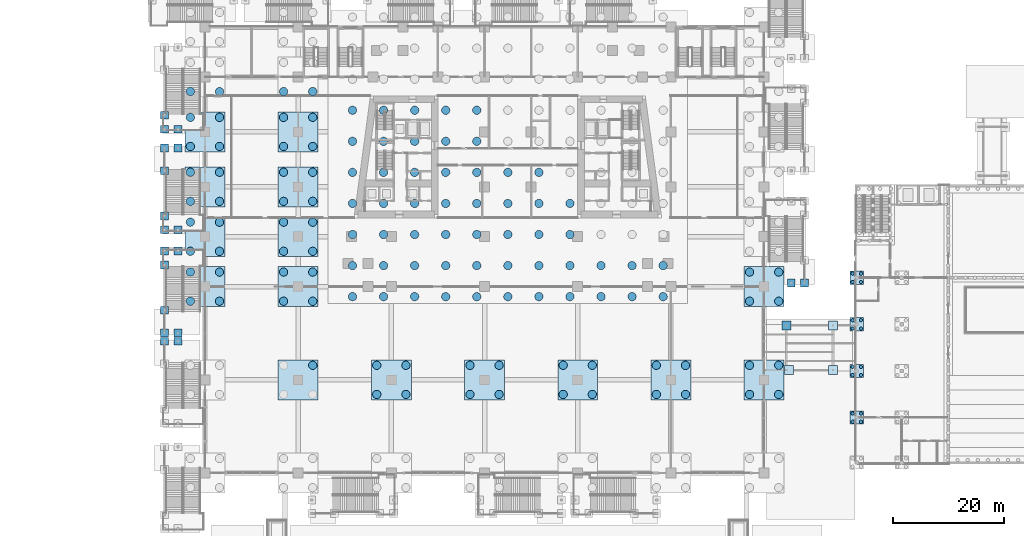
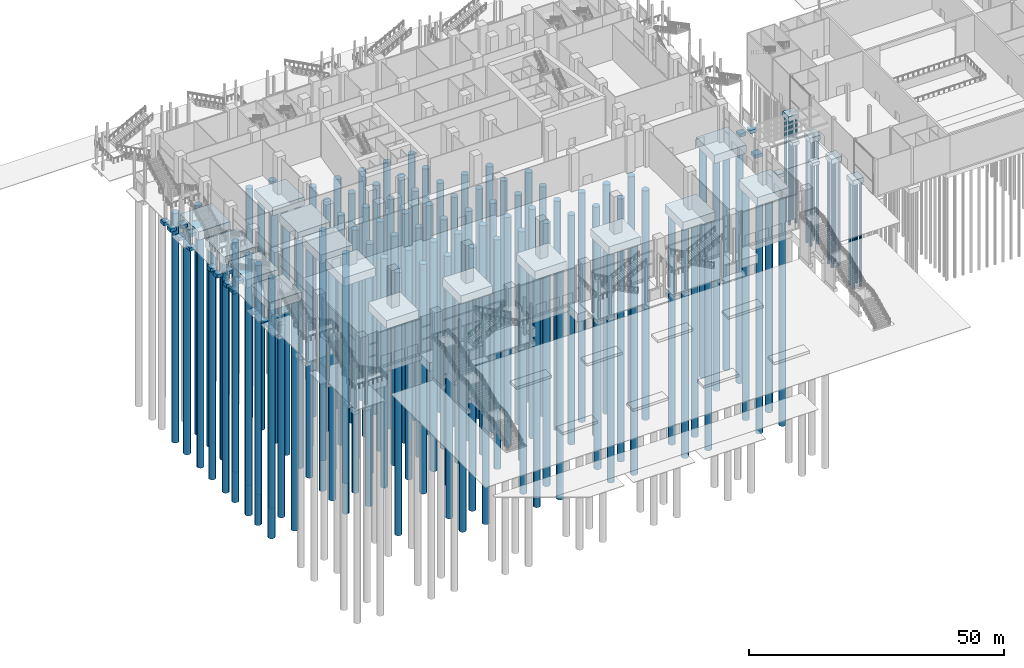
# One storey, part 2 of 72: 132 piles, 42 footings.
"""IFC4 building model written with IfcOpenShell, lengths in metres."""

from ifc_helpers import new_model, si_unit, direction, frame, origin, origin_2d, place, context, subcontext, project, spatial, polyline, rectangle, circle, outline, extrude, material, material_profile, profile_set, type_object, element, save


model = new_model("IFC4")

# Units and contexts
model_context = context("Model", 3, precision=1e-05, world=origin(), true_north=direction((0.0, 1.0)))
body_context = subcontext(model_context, "Body", "Model", "MODEL_VIEW")
ifc_project = project(units=[si_unit("LENGTHUNIT", "METRE"), si_unit("AREAUNIT", "SQUARE_METRE"), si_unit("VOLUMEUNIT", "CUBIC_METRE"), si_unit("PLANEANGLEUNIT", "RADIAN"), si_unit("MASSUNIT", "GRAM", prefix="KILO")], contexts=[model_context])

# Site, building, storey
site_placement = place(None, origin())
site = spatial("IfcSite", under=ifc_project, at=site_placement, CompositionType="ELEMENT")
building_placement = place(site_placement, origin())
building = spatial("IfcBuilding", under=site, at=building_placement, Name="Candeia Pilgrim Tower and Theatre", CompositionType="ELEMENT")
storey_placement = place(building_placement, origin())
storey = spatial("IfcBuildingStorey", under=building, at=storey_placement, Name="L00", CompositionType="ELEMENT", Elevation=0.0)

# Footings
ifc_material_1 = material(Name="Concrete C35/45", Category="concrete")
footing_type_1 = type_object("IfcFootingType", Name="Arcade pad footing 1600", PredefinedType="PAD_FOOTING", material=ifc_material_1)
footing_1_placement = place(storey_placement, frame((0.0, 0.0, -1.0)))
element("IfcFooting", 1, at=footing_1_placement, inside=storey, type_object=footing_type_1, Name="Arcade pad 1", PredefinedType="PAD_FOOTING", context=body_context, shape_type="SweptSolid", body=[
    extrude(outline(polyline([(163.25, 82.199951171875), (164.85009765625, 82.199951171875), (164.85009765625, 83.800048828125), (163.25, 83.800048828125), (163.25, 82.199951171875)])), origin(), (0.0, 0.0, 1.0), 0.800048828125),
])
footing_2_placement = place(storey_placement, frame((0.0, 0.0, -1.0)))
element("IfcFooting", 2, at=footing_2_placement, inside=storey, type_object=footing_type_1, Name="Arcade pad 2", PredefinedType="PAD_FOOTING", context=body_context, shape_type="SweptSolid", body=[
    extrude(outline(polyline([(162.800048828125, 90.199951171875), (164.39990234375, 90.199951171875), (164.39990234375, 91.800048828125), (162.800048828125, 91.800048828125), (162.800048828125, 90.199951171875)])), origin(), (0.0, 0.0, 1.0), 0.800048828125),
])
footing_3_placement = place(storey_placement, frame((0.0, 0.0, -1.0)))
element("IfcFooting", 3, at=footing_3_placement, inside=storey, type_object=footing_type_1, Name="Arcade pad 3", PredefinedType="PAD_FOOTING", context=body_context, shape_type="SweptSolid", body=[
    extrude(outline(polyline([(171.199951171875, 82.199951171875), (172.800048828125, 82.199951171875), (172.800048828125, 83.800048828125), (171.199951171875, 83.800048828125), (171.199951171875, 82.199951171875)])), origin(), (0.0, 0.0, 1.0), 0.800048828125),
])
footing_4_placement = place(storey_placement, frame((0.0, 0.0, -1.0)))
element("IfcFooting", 4, at=footing_4_placement, inside=storey, type_object=footing_type_1, Name="Arcade pad 4", PredefinedType="PAD_FOOTING", context=body_context, shape_type="SweptSolid", body=[
    extrude(outline(polyline([(171.199951171875, 90.199951171875), (172.800048828125, 90.199951171875), (172.800048828125, 91.800048828125), (171.199951171875, 91.800048828125), (171.199951171875, 90.199951171875)])), origin(), (0.0, 0.0, 1.0), 0.800048828125),
])

# Piles
ifc_material_2 = material(Name="Concrete C40/50", Category="concrete")
ifc_material_profile = material_profile(ifc_material_2, circle(Radius=0.75, at=origin_2d()))
ifc_profile_set = profile_set([ifc_material_profile], Name="Concrete C40/50")
pile_type_1 = type_object("IfcPileType", Name="Bored pile D1500 C40/50", PredefinedType="BORED", material=ifc_profile_set)
for number, where, z_axis, x_axis, name in (
    (5, (85.39990234375, 96.199951171875, -4.35009765625), (0.0, 0.0, -1.0), (1.0, 0.0, 0.0), "Pile R001"),
    (6, (91.0, 96.199951171875, -4.35009765625), (0.0, 0.0, -1.0), (1.0, 0.0, 0.0), "Pile R002"),
    (7, (96.60009765625, 96.199951171875, -4.35009765625), (0.0, 0.0, -1.0), (1.0, 0.0, 0.0), "Pile R003"),
    (8, (102.199951171875, 96.199951171875, -4.35009765625), (0.0, 0.0, -1.0), (1.0, 0.0, 0.0), "Pile R004"),
    (9, (107.800048828125, 96.199951171875, -4.35009765625), (0.0, 0.0, -1.0), (1.0, 0.0, 0.0), "Pile R005"),
    (10, (113.39990234375, 96.199951171875, -4.35009765625), (0.0, 0.0, -1.0), (1.0, 0.0, 0.0), "Pile R006"),
    (11, (119.0, 96.199951171875, -4.35009765625), (0.0, 0.0, -1.0), (1.0, 0.0, 0.0), "Pile R007"),
    (12, (124.60009765625, 96.199951171875, -4.35009765625), (0.0, 0.0, -1.0), (1.0, 0.0, 0.0), "Pile R008"),
    (13, (130.199951171875, 96.199951171875, -4.35009765625), (0.0, 0.0, -1.0), (1.0, 0.0, 0.0), "Pile R009"),
    (14, (135.800048828125, 96.199951171875, -4.35009765625), (0.0, 0.0, -1.0), (1.0, 0.0, 0.0), "Pile R010"),
    (15, (141.39990234375, 96.199951171875, -4.35009765625), (0.0, 0.0, -1.0), (1.0, 0.0, 0.0), "Pile R011"),
    (16, (85.39990234375, 101.800048828125, -4.35009765625), (0.0, 0.0, -1.0), (1.0, 0.0, 0.0), "Pile R012"),
    (17, (91.0, 101.800048828125, -4.35009765625), (0.0, 0.0, -1.0), (1.0, 0.0, 0.0), "Pile R013"),
    (18, (96.60009765625, 101.800048828125, -4.35009765625), (0.0, 0.0, -1.0), (1.0, 0.0, 0.0), "Pile R014"),
    (19, (102.199951171875, 101.800048828125, -4.35009765625), (0.0, 0.0, -1.0), (1.0, 0.0, 0.0), "Pile R015"),
    (20, (107.800048828125, 101.800048828125, -4.35009765625), (0.0, 0.0, -1.0), (1.0, 0.0, 0.0), "Pile R016"),
    (21, (113.39990234375, 101.800048828125, -4.35009765625), (0.0, 0.0, -1.0), (1.0, 0.0, 0.0), "Pile R017"),
    (22, (119.0, 101.800048828125, -4.35009765625), (0.0, 0.0, -1.0), (1.0, 0.0, 0.0), "Pile R018"),
    (23, (124.60009765625, 101.800048828125, -4.35009765625), (0.0, 0.0, -1.0), (1.0, 0.0, 0.0), "Pile R019"),
    (24, (130.199951171875, 101.800048828125, -4.35009765625), (0.0, 0.0, -1.0), (1.0, 0.0, 0.0), "Pile R020"),
    (25, (135.800048828125, 101.800048828125, -4.35009765625), (0.0, 0.0, -1.0), (1.0, 0.0, 0.0), "Pile R021"),
    (26, (141.39990234375, 101.800048828125, -4.35009765625), (0.0, 0.0, -1.0), (1.0, 0.0, 0.0), "Pile R022"),
    (27, (85.39990234375, 107.39990234375, -4.35009765625), (0.0, 0.0, -1.0), (1.0, 0.0, 0.0), "Pile R023"),
    (28, (91.0, 107.39990234375, -4.35009765625), (0.0, 0.0, -1.0), (1.0, 0.0, 0.0), "Pile R024"),
    (29, (96.60009765625, 107.39990234375, -4.35009765625), (0.0, 0.0, -1.0), (1.0, 0.0, 0.0), "Pile R025"),
    (30, (102.199951171875, 107.39990234375, -4.35009765625), (0.0, 0.0, -1.0), (1.0, 0.0, 0.0), "Pile R026"),
    (31, (107.800048828125, 107.39990234375, -4.35009765625), (0.0, 0.0, -1.0), (1.0, 0.0, 0.0), "Pile R027"),
    (32, (113.39990234375, 107.39990234375, -4.35009765625), (0.0, 0.0, -1.0), (1.0, 0.0, 0.0), "Pile R028"),
    (33, (119.0, 107.39990234375, -4.35009765625), (0.0, 0.0, -1.0), (1.0, 0.0, 0.0), "Pile R029"),
    (34, (124.60009765625, 107.39990234375, -4.35009765625), (0.0, 0.0, -1.0), (1.0, 0.0, 0.0), "Pile R030"),
    (35, (85.39990234375, 113.0, -4.35009765625), (0.0, 0.0, -1.0), (1.0, 0.0, 0.0), "Pile R034"),
    (36, (91.0, 113.0, -4.35009765625), (0.0, 0.0, -1.0), (1.0, 0.0, 0.0), "Pile R035"),
    (37, (96.60009765625, 113.0, -4.35009765625), (0.0, 0.0, -1.0), (1.0, 0.0, 0.0), "Pile R036"),
    (38, (102.199951171875, 113.0, -4.35009765625), (0.0, 0.0, -1.0), (1.0, 0.0, 0.0), "Pile R037"),
    (39, (107.800048828125, 113.0, -4.35009765625), (0.0, 0.0, -1.0), (1.0, 0.0, 0.0), "Pile R038"),
    (40, (113.39990234375, 113.0, -4.35009765625), (0.0, 0.0, -1.0), (1.0, 0.0, 0.0), "Pile R039"),
    (41, (119.0, 113.0, -4.35009765625), (0.0, 0.0, -1.0), (1.0, 0.0, 0.0), "Pile R040"),
    (42, (124.60009765625, 113.0, -4.35009765625), (0.0, 0.0, -1.0), (1.0, 0.0, 0.0), "Pile R041"),
    (43, (85.39990234375, 118.60009765625, -4.35009765625), (0.0, 0.0, -1.0), (1.0, 0.0, 0.0), "Pile R045"),
    (44, (91.0, 118.60009765625, -4.35009765625), (0.0, 0.0, -1.0), (1.0, 0.0, 0.0), "Pile R046"),
    (45, (96.60009765625, 118.60009765625, -4.35009765625), (0.0, 0.0, -1.0), (1.0, 0.0, 0.0), "Pile R047"),
    (46, (102.199951171875, 118.60009765625, -4.35009765625), (0.0, 0.0, -1.0), (1.0, 0.0, 0.0), "Pile R048"),
    (47, (107.800048828125, 118.60009765625, -4.35009765625), (0.0, 0.0, -1.0), (1.0, 0.0, 0.0), "Pile R049"),
    (48, (113.39990234375, 118.60009765625, -4.35009765625), (0.0, 0.0, -1.0), (1.0, 0.0, 0.0), "Pile R050"),
    (49, (119.0, 118.60009765625, -4.35009765625), (0.0, 0.0, -1.0), (1.0, 0.0, 0.0), "Pile R051"),
    (50, (85.39990234375, 124.199951171875, -4.35009765625), (0.0, 0.0, -1.0), (1.0, 0.0, 0.0), "Pile R056"),
    (51, (91.0, 124.199951171875, -4.35009765625), (0.0, 0.0, -1.0), (1.0, 0.0, 0.0), "Pile R057"),
    (52, (96.60009765625, 124.199951171875, -4.35009765625), (0.0, 0.0, -1.0), (1.0, 0.0, 0.0), "Pile R058"),
    (53, (102.199951171875, 124.199951171875, -4.35009765625), (0.0, 0.0, -1.0), (1.0, 0.0, 0.0), "Pile R059"),
    (54, (107.800048828125, 124.199951171875, -4.35009765625), (0.0, 0.0, -1.0), (1.0, 0.0, 0.0), "Pile R060"),
    (55, (85.39990234375, 129.800048828125, -4.35009765625), (0.0, 0.0, -1.0), (1.0, 0.0, 0.0), "Pile R067"),
    (56, (91.0, 129.800048828125, -4.35009765625), (0.0, 0.0, -1.0), (1.0, 0.0, 0.0), "Pile R068"),
    (57, (96.60009765625, 129.800048828125, -4.35009765625), (0.0, 0.0, -1.0), (1.0, 0.0, 0.0), "Pile R069"),
    (58, (102.199951171875, 129.800048828125, -4.35009765625), (0.0, 0.0, -1.0), (1.0, 0.0, 0.0), "Pile R070"),
    (59, (107.800048828125, 129.800048828125, -4.35009765625), (0.0, 0.0, -1.0), (1.0, 0.0, 0.0), "Pile R071"),
    (60, (78.22509765625, 83.824951171875, -2.35009765625), (0.0, 0.0, -1.0), (1.0, 0.0, 0.0), "Pile P-0084-0168-4"),
    (61, (89.77490234375, 78.574951171875, -2.35009765625), (0.0, 0.0, -1.0), (1.0, 0.0, 0.0), "Pile P+0084-0168-1"),
    (62, (95.02490234375, 78.574951171875, -2.35009765625), (0.0, 0.0, -1.0), (1.0, 0.0, 0.0), "Pile P+0084-0168-2"),
    (63, (89.77490234375, 83.824951171875, -2.35009765625), (0.0, 0.0, -1.0), (1.0, 0.0, 0.0), "Pile P+0084-0168-3"),
    (64, (95.02490234375, 83.824951171875, -2.35009765625), (0.0, 0.0, -1.0), (1.0, 0.0, 0.0), "Pile P+0084-0168-4"),
    (65, (106.574951171875, 78.574951171875, -2.35009765625), (0.0, 0.0, -1.0), (1.0, 0.0, 0.0), "Pile P+0252-0168-1"),
    (66, (111.824951171875, 78.574951171875, -2.35009765625), (0.0, 0.0, -1.0), (1.0, 0.0, 0.0), "Pile P+0252-0168-2"),
    (67, (106.574951171875, 83.824951171875, -2.35009765625), (0.0, 0.0, -1.0), (1.0, 0.0, 0.0), "Pile P+0252-0168-3"),
    (68, (111.824951171875, 83.824951171875, -2.35009765625), (0.0, 0.0, -1.0), (1.0, 0.0, 0.0), "Pile P+0252-0168-4"),
    (69, (123.375, 78.574951171875, -2.35009765625), (0.0, 0.0, -1.0), (1.0, 0.0, 0.0), "Pile P+0420-0168-1"),
    (70, (128.625, 78.574951171875, -2.35009765625), (0.0, 0.0, -1.0), (1.0, 0.0, 0.0), "Pile P+0420-0168-2"),
    (71, (123.375, 83.824951171875, -2.35009765625), (0.0, 0.0, -1.0), (1.0, 0.0, 0.0), "Pile P+0420-0168-3"),
    (72, (128.625, 83.824951171875, -2.35009765625), (0.0, 0.0, -1.0), (1.0, 0.0, 0.0), "Pile P+0420-0168-4"),
    (73, (140.175048828125, 78.574951171875, -2.35009765625), (0.0, 0.0, -1.0), (1.0, 0.0, 0.0), "Pile P+0588-0168-1"),
    (74, (145.425048828125, 78.574951171875, -2.35009765625), (0.0, 0.0, -1.0), (1.0, 0.0, 0.0), "Pile P+0588-0168-2"),
    (75, (140.175048828125, 83.824951171875, -2.35009765625), (0.0, 0.0, -1.0), (1.0, 0.0, 0.0), "Pile P+0588-0168-3"),
    (76, (145.425048828125, 83.824951171875, -2.35009765625), (0.0, 0.0, -1.0), (1.0, 0.0, 0.0), "Pile P+0588-0168-4"),
    (77, (156.97509765625, 78.574951171875, -2.35009765625), (0.0, 0.0, -1.0), (1.0, 0.0, 0.0), "Pile P+0756-0168-1"),
    (78, (162.22509765625, 78.574951171875, -2.35009765625), (0.0, 0.0, -1.0), (1.0, 0.0, 0.0), "Pile P+0756-0168-2"),
    (79, (156.97509765625, 83.824951171875, -2.35009765625), (0.0, 0.0, -1.0), (1.0, 0.0, 0.0), "Pile P+0756-0168-3"),
    (80, (162.22509765625, 83.824951171875, -2.35009765625), (0.0, 0.0, -1.0), (1.0, 0.0, 0.0), "Pile P+0756-0168-4"),
    (81, (56.175048828125, 95.375, -2.35009765625), (0.0, 0.0, -1.0), (1.0, 0.0, 0.0), "Pile P-0252+0000-1"),
    (82, (61.425048828125, 95.375, -2.35009765625), (0.0, 0.0, -1.0), (1.0, 0.0, 0.0), "Pile P-0252+0000-2"),
    (83, (56.175048828125, 100.625, -2.35009765625), (0.0, 0.0, -1.0), (1.0, 0.0, 0.0), "Pile P-0252+0000-3"),
    (84, (61.425048828125, 100.625, -2.35009765625), (0.0, 0.0, -1.0), (1.0, 0.0, 0.0), "Pile P-0252+0000-4"),
    (85, (72.97509765625, 95.375, -2.35009765625), (0.0, 0.0, -1.0), (1.0, 0.0, 0.0), "Pile P-0084+0000-1"),
    (86, (78.22509765625, 95.375, -2.35009765625), (0.0, 0.0, -1.0), (1.0, 0.0, 0.0), "Pile P-0084+0000-2"),
    (87, (72.97509765625, 100.625, -2.35009765625), (0.0, 0.0, -1.0), (1.0, 0.0, 0.0), "Pile P-0084+0000-3"),
    (88, (78.22509765625, 100.625, -2.35009765625), (0.0, 0.0, -1.0), (1.0, 0.0, 0.0), "Pile P-0084+0000-4"),
    (89, (156.97509765625, 95.375, -2.35009765625), (0.0, 0.0, -1.0), (1.0, 0.0, 0.0), "Pile P+0756+0000-1"),
    (90, (162.22509765625, 95.375, -2.35009765625), (0.0, 0.0, -1.0), (1.0, 0.0, 0.0), "Pile P+0756+0000-2"),
    (91, (156.97509765625, 100.625, -2.35009765625), (0.0, 0.0, -1.0), (1.0, 0.0, 0.0), "Pile P+0756+0000-3"),
    (92, (162.22509765625, 100.625, -2.35009765625), (0.0, 0.0, -1.0), (1.0, 0.0, 0.0), "Pile P+0756+0000-4"),
    (93, (56.175048828125, 104.375, -2.35009765625), (0.0, 0.0, -1.0), (1.0, 0.0, 0.0), "Pile P-0252+0090-1"),
    (94, (61.425048828125, 104.375, -2.35009765625), (0.0, 0.0, -1.0), (1.0, 0.0, 0.0), "Pile P-0252+0090-2"),
    (95, (56.175048828125, 109.625, -2.35009765625), (0.0, 0.0, -1.0), (1.0, 0.0, 0.0), "Pile P-0252+0090-3"),
    (96, (61.425048828125, 109.625, -2.35009765625), (0.0, 0.0, -1.0), (1.0, 0.0, 0.0), "Pile P-0252+0090-4"),
    (97, (72.97509765625, 104.375, -2.35009765625), (0.0, 0.0, -1.0), (1.0, 0.0, 0.0), "Pile P-0084+0090-1"),
    (98, (78.22509765625, 104.375, -2.35009765625), (0.0, 0.0, -1.0), (1.0, 0.0, 0.0), "Pile P-0084+0090-2"),
    (99, (72.97509765625, 109.625, -2.35009765625), (0.0, 0.0, -1.0), (1.0, 0.0, 0.0), "Pile P-0084+0090-3"),
    (100, (78.22509765625, 109.625, -2.35009765625), (0.0, 0.0, -1.0), (1.0, 0.0, 0.0), "Pile P-0084+0090-4"),
    (101, (56.175048828125, 113.375, -2.35009765625), (0.0, 0.0, -1.0), (1.0, 0.0, 0.0), "Pile P-0252+0180-1"),
    (102, (61.425048828125, 113.375, -2.35009765625), (0.0, 0.0, -1.0), (1.0, 0.0, 0.0), "Pile P-0252+0180-2"),
    (103, (56.175048828125, 118.625, -2.35009765625), (0.0, 0.0, -1.0), (1.0, 0.0, 0.0), "Pile P-0252+0180-3"),
    (104, (61.425048828125, 118.625, -2.35009765625), (0.0, 0.0, -1.0), (1.0, 0.0, 0.0), "Pile P-0252+0180-4"),
    (105, (72.97509765625, 113.375, -2.35009765625), (0.0, 0.0, -1.0), (1.0, 0.0, 0.0), "Pile P-0084+0180-1"),
    (106, (78.22509765625, 113.375, -2.35009765625), (0.0, 0.0, -1.0), (1.0, 0.0, 0.0), "Pile P-0084+0180-2"),
    (107, (72.97509765625, 118.625, -2.35009765625), (0.0, 0.0, -1.0), (1.0, 0.0, 0.0), "Pile P-0084+0180-3"),
    (108, (78.22509765625, 118.625, -2.35009765625), (0.0, 0.0, -1.0), (1.0, 0.0, 0.0), "Pile P-0084+0180-4"),
    (109, (56.175048828125, 123.27490234375, -2.35009765625), (0.0, 0.0, -1.0), (1.0, 0.0, 0.0), "Pile P-0252+0279-1"),
    (110, (61.425048828125, 123.27490234375, -2.35009765625), (0.0, 0.0, -1.0), (1.0, 0.0, 0.0), "Pile P-0252+0279-2"),
    (111, (56.175048828125, 128.52490234375, -2.35009765625), (0.0, 0.0, -1.0), (1.0, 0.0, 0.0), "Pile P-0252+0279-3"),
    (112, (61.425048828125, 128.52490234375, -2.35009765625), (0.0, 0.0, -1.0), (1.0, 0.0, 0.0), "Pile P-0252+0279-4"),
    (113, (72.97509765625, 123.27490234375, -2.35009765625), (0.0, 0.0, -1.0), (1.0, 0.0, 0.0), "Pile P-0084+0279-1"),
    (114, (78.22509765625, 123.27490234375, -2.35009765625), (0.0, 0.0, -1.0), (1.0, 0.0, 0.0), "Pile P-0084+0279-2"),
    (115, (72.97509765625, 128.52490234375, -2.35009765625), (0.0, 0.0, -1.0), (1.0, 0.0, 0.0), "Pile P-0084+0279-3"),
    (116, (78.22509765625, 128.52490234375, -2.35009765625), (0.0, 0.0, -1.0), (1.0, 0.0, 0.0), "Pile P-0084+0279-4"),
    (117, (56.175048828125, 133.175048828125, -2.35009765625), (0.0, 0.0, -1.0), (1.0, 0.0, 0.0), "Pile P-0252+0378-1"),
    (118, (61.425048828125, 133.175048828125, -2.35009765625), (0.0, 0.0, -1.0), (1.0, 0.0, 0.0), "Pile P-0252+0378-2"),
    (119, (72.97509765625, 133.175048828125, -2.35009765625), (0.0, 0.0, -1.0), (1.0, 0.0, 0.0), "Pile P-0084+0378-1"),
    (120, (78.22509765625, 133.175048828125, -2.35009765625), (0.0, 0.0, -1.0), (1.0, 0.0, 0.0), "Pile P-0084+0378-2"),
):
    element("IfcPile", number, at=place(storey_placement, frame(where, z_axis=z_axis, x_axis=x_axis)), inside=storey, type_object=pile_type_1, Name=name, PredefinedType="BORED", context=body_context, shape_type="SweptSolid", body=[
        extrude(circle(Radius=0.75, at=origin_2d()), origin(), (0.0, 0.0, 1.0), 55.0),
    ])
pile_type_2 = type_object("IfcPileType", Name="Bored pile D600", PredefinedType="BORED", material=ifc_material_1)
for number, where, z_axis, x_axis, name in (
    (121, (175.550048828125, 73.64990234375, -1.5), (0.0, 0.0, -1.0), (1.0, 0.0, 0.0), "T-FP-B1-1"),
    (122, (177.050048828125, 73.64990234375, -1.5), (0.0, 0.0, -1.0), (1.0, 0.0, 0.0), "T-FP-B1-2"),
    (123, (175.550048828125, 75.14990234375, -1.5), (0.0, 0.0, -1.0), (1.0, 0.0, 0.0), "T-FP-B1-3"),
    (124, (177.050048828125, 75.14990234375, -1.5), (0.0, 0.0, -1.0), (1.0, 0.0, 0.0), "T-FP-B1-4"),
    (125, (175.550048828125, 82.050048828125, -1.5), (0.0, 0.0, -1.0), (1.0, 0.0, 0.0), "T-FP-C1-1"),
    (126, (177.050048828125, 82.050048828125, -1.5), (0.0, 0.0, -1.0), (1.0, 0.0, 0.0), "T-FP-C1-2"),
    (127, (175.550048828125, 83.550048828125, -1.5), (0.0, 0.0, -1.0), (1.0, 0.0, 0.0), "T-FP-C1-3"),
    (128, (177.050048828125, 83.550048828125, -1.5), (0.0, 0.0, -1.0), (1.0, 0.0, 0.0), "T-FP-C1-4"),
    (129, (175.550048828125, 90.449951171875, -1.5), (0.0, 0.0, -1.0), (1.0, 0.0, 0.0), "T-FP-D1-1"),
    (130, (177.050048828125, 90.449951171875, -1.5), (0.0, 0.0, -1.0), (1.0, 0.0, 0.0), "T-FP-D1-2"),
    (131, (175.550048828125, 91.949951171875, -1.5), (0.0, 0.0, -1.0), (1.0, 0.0, 0.0), "T-FP-D1-3"),
    (132, (177.050048828125, 91.949951171875, -1.5), (0.0, 0.0, -1.0), (1.0, 0.0, 0.0), "T-FP-D1-4"),
    (133, (175.550048828125, 98.85009765625, -1.5), (0.0, 0.0, -1.0), (1.0, 0.0, 0.0), "T-FP-E1-1"),
    (134, (177.050048828125, 98.85009765625, -1.5), (0.0, 0.0, -1.0), (1.0, 0.0, 0.0), "T-FP-E1-2"),
    (135, (175.550048828125, 100.35009765625, -1.5), (0.0, 0.0, -1.0), (1.0, 0.0, 0.0), "T-FP-E1-3"),
    (136, (177.050048828125, 100.35009765625, -1.5), (0.0, 0.0, -1.0), (1.0, 0.0, 0.0), "T-FP-E1-4"),
):
    element("IfcPile", number, at=place(storey_placement, frame(where, z_axis=z_axis, x_axis=x_axis)), inside=storey, type_object=pile_type_2, Name=name, PredefinedType="BORED", context=body_context, shape_type="SweptSolid", body=[
        extrude(circle(Radius=0.300048828125, at=origin_2d()), origin(), (0.0, 0.0, 1.0), 25.0),
    ])

# Footings
footing_type_2 = type_object("IfcFootingType", Name="Escape stair pad footing 1400", PredefinedType="PAD_FOOTING", material=ifc_material_1)
footing_5_placement = place(storey_placement, frame((0.0, 0.0, -1.0)))
element("IfcFooting", 137, at=footing_5_placement, inside=storey, type_object=footing_type_2, Name="External escape stair ES1 pad N1", PredefinedType="PAD_FOOTING", context=body_context, shape_type="SweptSolid", body=[
    extrude(outline(polyline([(166.199951171875, 97.949951171875), (167.60009765625, 97.949951171875), (167.60009765625, 99.35009765625), (166.199951171875, 99.35009765625), (166.199951171875, 97.949951171875)])), origin(), (0.0, 0.0, 1.0), 0.800048828125),
])
footing_6_placement = place(storey_placement, frame((0.0, 0.0, -1.0)))
element("IfcFooting", 138, at=footing_6_placement, inside=storey, type_object=footing_type_2, Name="External escape stair ES1 pad N3", PredefinedType="PAD_FOOTING", context=body_context, shape_type="SweptSolid", body=[
    extrude(outline(polyline([(163.77490234375, 97.949951171875), (165.175048828125, 97.949951171875), (165.175048828125, 99.35009765625), (163.77490234375, 99.35009765625), (163.77490234375, 97.949951171875)])), origin(), (0.0, 0.0, 1.0), 0.800048828125),
])
footing_7_placement = place(storey_placement, frame((0.0, 0.0, -1.0)))
element("IfcFooting", 139, at=footing_7_placement, inside=storey, type_object=footing_type_2, Name="External escape stair ES11 pad N1", PredefinedType="PAD_FOOTING", context=body_context, shape_type="SweptSolid", body=[
    extrude(outline(polyline([(50.800048828125, 87.449951171875), (52.199951171875, 87.449951171875), (52.199951171875, 88.85009765625), (50.800048828125, 88.85009765625), (50.800048828125, 87.449951171875)])), origin(), (0.0, 0.0, 1.0), 0.800048828125),
])
footing_8_placement = place(storey_placement, frame((0.0, 0.0, -1.0)))
element("IfcFooting", 140, at=footing_8_placement, inside=storey, type_object=footing_type_2, Name="External escape stair ES11 pad N3", PredefinedType="PAD_FOOTING", context=body_context, shape_type="SweptSolid", body=[
    extrude(outline(polyline([(53.22509765625, 87.449951171875), (54.625, 87.449951171875), (54.625, 88.85009765625), (53.22509765625, 88.85009765625), (53.22509765625, 87.449951171875)])), origin(), (0.0, 0.0, 1.0), 0.800048828125),
])
footing_9_placement = place(storey_placement, frame((0.0, 0.0, -1.0)))
element("IfcFooting", 141, at=footing_9_placement, inside=storey, type_object=footing_type_2, Name="External escape stair ES12 pad N1", PredefinedType="PAD_FOOTING", context=body_context, shape_type="SweptSolid", body=[
    extrude(outline(polyline([(50.800048828125, 88.949951171875), (52.199951171875, 88.949951171875), (52.199951171875, 90.35009765625), (50.800048828125, 90.35009765625), (50.800048828125, 88.949951171875)])), origin(), (0.0, 0.0, 1.0), 0.800048828125),
])
footing_10_placement = place(storey_placement, frame((0.0, 0.0, -1.0)))
element("IfcFooting", 142, at=footing_10_placement, inside=storey, type_object=footing_type_2, Name="External escape stair ES12 pad N2", PredefinedType="PAD_FOOTING", context=body_context, shape_type="SweptSolid", body=[
    extrude(outline(polyline([(50.800048828125, 93.050048828125), (52.199951171875, 93.050048828125), (52.199951171875, 94.449951171875), (50.800048828125, 94.449951171875), (50.800048828125, 93.050048828125)])), origin(), (0.0, 0.0, 1.0), 0.800048828125),
])
footing_11_placement = place(storey_placement, frame((0.0, 0.0, -1.0)))
element("IfcFooting", 143, at=footing_11_placement, inside=storey, type_object=footing_type_2, Name="External escape stair ES12 pad N3", PredefinedType="PAD_FOOTING", context=body_context, shape_type="SweptSolid", body=[
    extrude(outline(polyline([(53.22509765625, 88.949951171875), (54.625, 88.949951171875), (54.625, 90.35009765625), (53.22509765625, 90.35009765625), (53.22509765625, 88.949951171875)])), origin(), (0.0, 0.0, 1.0), 0.800048828125),
])
footing_12_placement = place(storey_placement, frame((0.0, 0.0, -1.0)))
element("IfcFooting", 144, at=footing_12_placement, inside=storey, type_object=footing_type_2, Name="External escape stair ES12 pad F1", PredefinedType="PAD_FOOTING", context=body_context, shape_type="SweptSolid", body=[
    extrude(outline(polyline([(50.800048828125, 101.2099609375), (52.199951171875, 101.2099609375), (52.199951171875, 102.610107421875), (50.800048828125, 102.610107421875), (50.800048828125, 101.2099609375)])), origin(), (0.0, 0.0, 1.0), 0.800048828125),
])
footing_13_placement = place(storey_placement, frame((0.0, 0.0, -1.0)))
element("IfcFooting", 145, at=footing_13_placement, inside=storey, type_object=footing_type_2, Name="External escape stair ES12 pad F2", PredefinedType="PAD_FOOTING", context=body_context, shape_type="SweptSolid", body=[
    extrude(outline(polyline([(50.800048828125, 103.7099609375), (52.199951171875, 103.7099609375), (52.199951171875, 105.110107421875), (50.800048828125, 105.110107421875), (50.800048828125, 103.7099609375)])), origin(), (0.0, 0.0, 1.0), 0.800048828125),
])
footing_14_placement = place(storey_placement, frame((0.0, 0.0, -1.0)))
element("IfcFooting", 146, at=footing_14_placement, inside=storey, type_object=footing_type_2, Name="External escape stair ES12 pad F3", PredefinedType="PAD_FOOTING", context=body_context, shape_type="SweptSolid", body=[
    extrude(outline(polyline([(53.22509765625, 103.7099609375), (54.625, 103.7099609375), (54.625, 105.110107421875), (53.22509765625, 105.110107421875), (53.22509765625, 103.7099609375)])), origin(), (0.0, 0.0, 1.0), 0.800048828125),
])
footing_15_placement = place(storey_placement, frame((0.0, 0.0, -1.0)))
element("IfcFooting", 147, at=footing_15_placement, inside=storey, type_object=footing_type_2, Name="External escape stair ES13 pad F1", PredefinedType="PAD_FOOTING", context=body_context, shape_type="SweptSolid", body=[
    extrude(outline(polyline([(50.800048828125, 128.18994140625), (52.199951171875, 128.18994140625), (52.199951171875, 129.590087890625), (50.800048828125, 129.590087890625), (50.800048828125, 128.18994140625)])), origin(), (0.0, 0.0, 1.0), 0.800048828125),
])
footing_16_placement = place(storey_placement, frame((0.0, 0.0, -1.0)))
element("IfcFooting", 148, at=footing_16_placement, inside=storey, type_object=footing_type_2, Name="External escape stair ES13 pad F2", PredefinedType="PAD_FOOTING", context=body_context, shape_type="SweptSolid", body=[
    extrude(outline(polyline([(50.800048828125, 125.68994140625), (52.199951171875, 125.68994140625), (52.199951171875, 127.090087890625), (50.800048828125, 127.090087890625), (50.800048828125, 125.68994140625)])), origin(), (0.0, 0.0, 1.0), 0.800048828125),
])
footing_17_placement = place(storey_placement, frame((0.0, 0.0, -1.0)))
element("IfcFooting", 149, at=footing_17_placement, inside=storey, type_object=footing_type_2, Name="External escape stair ES13 pad F3", PredefinedType="PAD_FOOTING", context=body_context, shape_type="SweptSolid", body=[
    extrude(outline(polyline([(53.22509765625, 125.68994140625), (54.625, 125.68994140625), (54.625, 127.090087890625), (53.22509765625, 127.090087890625), (53.22509765625, 125.68994140625)])), origin(), (0.0, 0.0, 1.0), 0.800048828125),
])
footing_18_placement = place(storey_placement, frame((0.0, 0.0, -1.0)))
element("IfcFooting", 150, at=footing_18_placement, inside=storey, type_object=footing_type_2, Name="External escape stair ES15 pad N1", PredefinedType="PAD_FOOTING", context=body_context, shape_type="SweptSolid", body=[
    extrude(outline(polyline([(50.800048828125, 122.300048828125), (52.199951171875, 122.300048828125), (52.199951171875, 123.699951171875), (50.800048828125, 123.699951171875), (50.800048828125, 122.300048828125)])), origin(), (0.0, 0.0, 1.0), 0.800048828125),
])
footing_19_placement = place(storey_placement, frame((0.0, 0.0, -1.0)))
element("IfcFooting", 151, at=footing_19_placement, inside=storey, type_object=footing_type_2, Name="External escape stair ES15 pad N2", PredefinedType="PAD_FOOTING", context=body_context, shape_type="SweptSolid", body=[
    extrude(outline(polyline([(50.800048828125, 118.199951171875), (52.199951171875, 118.199951171875), (52.199951171875, 119.60009765625), (50.800048828125, 119.60009765625), (50.800048828125, 118.199951171875)])), origin(), (0.0, 0.0, 1.0), 0.800048828125),
])
footing_20_placement = place(storey_placement, frame((0.0, 0.0, -1.0)))
element("IfcFooting", 152, at=footing_20_placement, inside=storey, type_object=footing_type_2, Name="External escape stair ES15 pad N3", PredefinedType="PAD_FOOTING", context=body_context, shape_type="SweptSolid", body=[
    extrude(outline(polyline([(53.22509765625, 122.300048828125), (54.625, 122.300048828125), (54.625, 123.699951171875), (53.22509765625, 123.699951171875), (53.22509765625, 122.300048828125)])), origin(), (0.0, 0.0, 1.0), 0.800048828125),
])
footing_21_placement = place(storey_placement, frame((0.0, 0.0, -1.0)))
element("IfcFooting", 153, at=footing_21_placement, inside=storey, type_object=footing_type_2, Name="External escape stair ES15 pad F1", PredefinedType="PAD_FOOTING", context=body_context, shape_type="SweptSolid", body=[
    extrude(outline(polyline([(50.800048828125, 110.0400390625), (52.199951171875, 110.0400390625), (52.199951171875, 111.43994140625), (50.800048828125, 111.43994140625), (50.800048828125, 110.0400390625)])), origin(), (0.0, 0.0, 1.0), 0.800048828125),
])
footing_22_placement = place(storey_placement, frame((0.0, 0.0, -1.0)))
element("IfcFooting", 154, at=footing_22_placement, inside=storey, type_object=footing_type_2, Name="External escape stair ES15 pad F2", PredefinedType="PAD_FOOTING", context=body_context, shape_type="SweptSolid", body=[
    extrude(outline(polyline([(50.800048828125, 107.5400390625), (52.199951171875, 107.5400390625), (52.199951171875, 108.93994140625), (50.800048828125, 108.93994140625), (50.800048828125, 107.5400390625)])), origin(), (0.0, 0.0, 1.0), 0.800048828125),
])
footing_23_placement = place(storey_placement, frame((0.0, 0.0, -1.0)))
element("IfcFooting", 155, at=footing_23_placement, inside=storey, type_object=footing_type_2, Name="External escape stair ES15 pad F3", PredefinedType="PAD_FOOTING", context=body_context, shape_type="SweptSolid", body=[
    extrude(outline(polyline([(53.22509765625, 107.5400390625), (54.625, 107.5400390625), (54.625, 108.93994140625), (53.22509765625, 108.93994140625), (53.22509765625, 107.5400390625)])), origin(), (0.0, 0.0, 1.0), 0.800048828125),
])
footing_type_3 = type_object("IfcFootingType", Name="RC pile cap 7200x7200x2000 C40/50", PredefinedType="PILE_CAP", material=ifc_material_2)
for number, where, z_axis, x_axis, name in (
    (156, (75.60009765625, 81.199951171875, -2.35009765625), (0.0, 0.0, 1.0), (1.0, 0.0, 0.0), "Pile cap P-0084-0168"),
    (157, (92.39990234375, 81.199951171875, -2.35009765625), (0.0, 0.0, 1.0), (1.0, 0.0, 0.0), "Pile cap P+0084-0168"),
    (158, (109.199951171875, 81.199951171875, -2.35009765625), (0.0, 0.0, 1.0), (1.0, 0.0, 0.0), "Pile cap P+0252-0168"),
    (159, (126.0, 81.199951171875, -2.35009765625), (0.0, 0.0, 1.0), (1.0, 0.0, 0.0), "Pile cap P+0420-0168"),
    (160, (142.800048828125, 81.199951171875, -2.35009765625), (0.0, 0.0, 1.0), (1.0, 0.0, 0.0), "Pile cap P+0588-0168"),
    (161, (159.60009765625, 81.199951171875, -2.35009765625), (0.0, 0.0, 1.0), (1.0, 0.0, 0.0), "Pile cap P+0756-0168"),
    (162, (58.800048828125, 98.0, -2.35009765625), (0.0, 0.0, 1.0), (1.0, 0.0, 0.0), "Pile cap P-0252+0000"),
    (163, (75.60009765625, 98.0, -2.35009765625), (0.0, 0.0, 1.0), (1.0, 0.0, 0.0), "Pile cap P-0084+0000"),
    (164, (159.60009765625, 98.0, -2.35009765625), (0.0, 0.0, 1.0), (1.0, 0.0, 0.0), "Pile cap P+0756+0000"),
    (165, (58.800048828125, 107.0, -2.35009765625), (0.0, 0.0, 1.0), (1.0, 0.0, 0.0), "Pile cap P-0252+0090"),
    (166, (75.60009765625, 107.0, -2.35009765625), (0.0, 0.0, 1.0), (1.0, 0.0, 0.0), "Pile cap P-0084+0090"),
    (167, (58.800048828125, 116.0, -2.35009765625), (0.0, 0.0, 1.0), (1.0, 0.0, 0.0), "Pile cap P-0252+0180"),
    (168, (75.60009765625, 116.0, -2.35009765625), (0.0, 0.0, 1.0), (1.0, 0.0, 0.0), "Pile cap P-0084+0180"),
    (169, (58.800048828125, 125.89990234375, -2.35009765625), (0.0, 0.0, 1.0), (1.0, 0.0, 0.0), "Pile cap P-0252+0279"),
    (170, (75.60009765625, 125.89990234375, -2.35009765625), (0.0, 0.0, 1.0), (1.0, 0.0, 0.0), "Pile cap P-0084+0279"),
):
    element("IfcFooting", number, at=place(storey_placement, frame(where, z_axis=z_axis, x_axis=x_axis)), inside=storey, type_object=footing_type_3, Name=name, PredefinedType="PILE_CAP", context=body_context, shape_type="SweptSolid", body=[
        extrude(rectangle(XDim=7.199951171875, YDim=7.199951171875, at=origin_2d()), origin(), (0.0, 0.0, 1.0), 2.0),
    ])
footing_type_4 = type_object("IfcFootingType", Name="Theatre pile cap 2400x2400", PredefinedType="PILE_CAP", material=ifc_material_1)
footing_24_placement = place(storey_placement, frame((0.0, 0.0, -1.5)))
element("IfcFooting", 171, at=footing_24_placement, inside=storey, type_object=footing_type_4, Name="Pile cap B1", PredefinedType="PILE_CAP", context=body_context, shape_type="SweptSolid", body=[
    extrude(outline(polyline([(175.10009765625, 73.199951171875), (177.5, 73.199951171875), (177.5, 75.60009765625), (175.10009765625, 75.60009765625), (175.10009765625, 73.199951171875)])), origin(), (0.0, 0.0, 1.0), 1.199951171875),
])
footing_25_placement = place(storey_placement, frame((0.0, 0.0, -1.5)))
element("IfcFooting", 172, at=footing_25_placement, inside=storey, type_object=footing_type_4, Name="Pile cap C1", PredefinedType="PILE_CAP", context=body_context, shape_type="SweptSolid", body=[
    extrude(outline(polyline([(175.10009765625, 81.60009765625), (177.5, 81.60009765625), (177.5, 84.0), (175.10009765625, 84.0), (175.10009765625, 81.60009765625)])), origin(), (0.0, 0.0, 1.0), 1.199951171875),
])
footing_26_placement = place(storey_placement, frame((0.0, 0.0, -1.5)))
element("IfcFooting", 173, at=footing_26_placement, inside=storey, type_object=footing_type_4, Name="Pile cap D1", PredefinedType="PILE_CAP", context=body_context, shape_type="SweptSolid", body=[
    extrude(outline(polyline([(175.10009765625, 90.0), (177.5, 90.0), (177.5, 92.39990234375), (175.10009765625, 92.39990234375), (175.10009765625, 90.0)])), origin(), (0.0, 0.0, 1.0), 1.199951171875),
])
footing_27_placement = place(storey_placement, frame((0.0, 0.0, -1.5)))
element("IfcFooting", 174, at=footing_27_placement, inside=storey, type_object=footing_type_4, Name="Pile cap E1", PredefinedType="PILE_CAP", context=body_context, shape_type="SweptSolid", body=[
    extrude(outline(polyline([(175.10009765625, 98.39990234375), (177.5, 98.39990234375), (177.5, 100.800048828125), (175.10009765625, 100.800048828125), (175.10009765625, 98.39990234375)])), origin(), (0.0, 0.0, 1.0), 1.199951171875),
])

save(model, "model.ifc")
